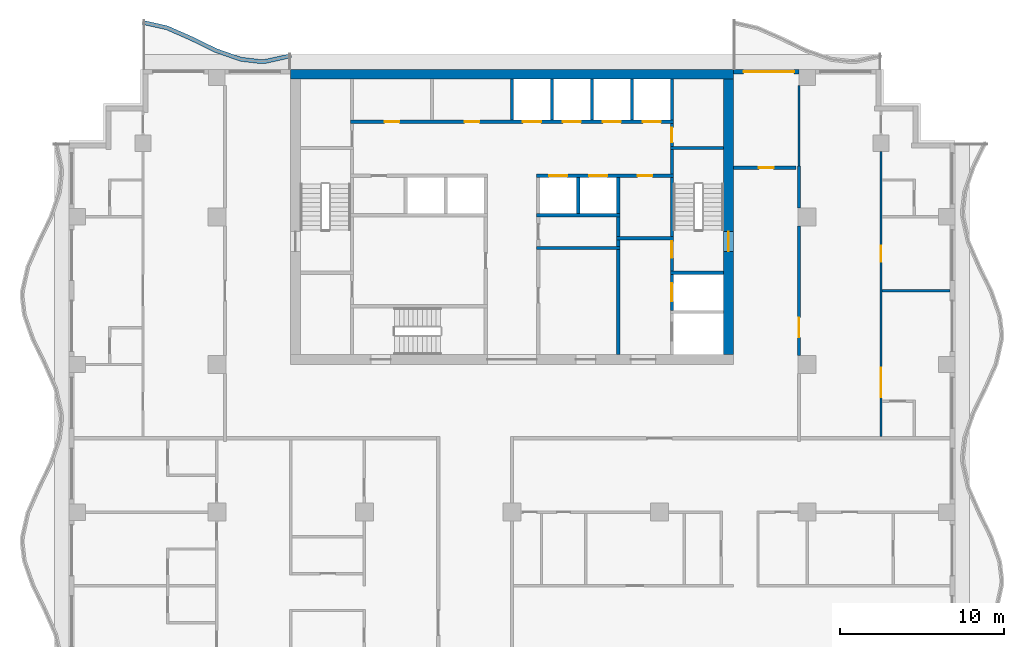
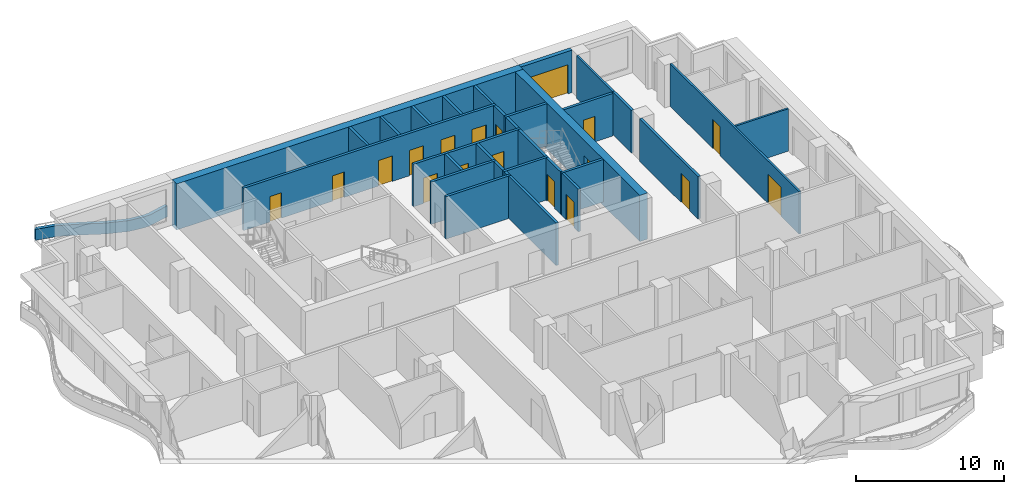
# One storey, part 6 of 11: 32 walls, 18 doors, 18 openings.
"""IFC4 building model written with IfcOpenShell, lengths in metres."""

from ifc_helpers import new_model, si_unit, direction, frame, frame_2d, origin, place, context, subcontext, project, spatial, polyline, rectangle, outline, extrude, material, layer, layer_set, type_object, element, fill, save


model = new_model("IFC4")

# Units and contexts
model_context = context("Model", 3, precision=1e-05, world=origin(), true_north=direction((0.0, 1.0)))
body_context = subcontext(model_context, "Body", "Model", "MODEL_VIEW")
ifc_project = project(units=[si_unit("LENGTHUNIT", "METRE"), si_unit("AREAUNIT", "SQUARE_METRE"), si_unit("VOLUMEUNIT", "CUBIC_METRE"), si_unit("PLANEANGLEUNIT", "RADIAN"), si_unit("MASSUNIT", "GRAM", prefix="KILO")], contexts=[model_context])

# Site, building, storey
site_placement = place(None, origin())
site = spatial("IfcSite", under=ifc_project, at=site_placement, CompositionType="ELEMENT")
building_placement = place(site_placement, origin())
building = spatial("IfcBuilding", under=site, at=building_placement, Name="Orbiselva Terraces", CompositionType="ELEMENT")
storey_placement = place(building_placement, frame((0.0, 0.0, 199.6)))
storey = spatial("IfcBuildingStorey", under=building, at=storey_placement, Name="L50", CompositionType="ELEMENT", Elevation=199.6)

# Wall, opening, door
ifc_material_1 = material(Name="Concrete C80/95", Category="concrete")
ifc_layer_1 = layer(ifc_material_1, 0.6)
ifc_layer_set_1 = layer_set([ifc_layer_1], Name="Concrete C80/95")
wall_type_1 = type_object("IfcWallType", Name="CORE WALL 600", PredefinedType="SHEAR", material=ifc_layer_set_1)
wall_1_placement = place(storey_placement, frame((13.2, 5.1, -0.3), z_axis=(0.0, 0.0, 1.0), x_axis=(0.0, 1.0, 0.0)))
wall_1 = element("IfcWall", 1, at=wall_1_placement, inside=storey, type_object=wall_type_1, Name="Core wall L50 east", PredefinedType="SHEAR", context=body_context, shape_type="SweptSolid", body=[
    extrude(rectangle(XDim=16.8, YDim=0.6, at=frame_2d((8.4, 0.0))), origin(), (0.0, 0.0, 1.0), 3.8),
])
opening_1_placement = place(wall_1_placement, frame((6.3, 0.0, 0.3)))
opening_1 = element("IfcOpeningElement", 2, at=opening_1_placement, cuts=wall_1, Name="Opening DS1200", PredefinedType="OPENING", context=body_context, shape_type="SweptSolid", body=[
    extrude(rectangle(XDim=1.2, YDim=2.2, at=frame_2d((0.6, 1.1))), frame((0.0, 0.31, 0.0), z_axis=(0.0, -1.0, 0.0), x_axis=(1.0, 0.0, 0.0)), (0.0, 0.0, 1.0), 0.62),
])
ifc_material_2 = material(Name="Steel fire door", Category="steel")
door_type_1 = type_object("IfcDoorType", Name="STAIR DOOR 1200", OperationType="NOTDEFINED", PredefinedType="DOOR", material=ifc_material_2)
door_1_placement = place(opening_1_placement, frame((1.2, 0.0, 0.0), z_axis=(0.0, 0.0, 1.0), x_axis=(-1.0, 0.0, 0.0)))
door_1 = element("IfcDoor", 3, at=door_1_placement, inside=storey, type_object=door_type_1, Name="L50 EXIT STAIR S2 door", OperationType="SINGLE_SWING_LEFT", OverallHeight=2.2, OverallWidth=1.2, PredefinedType="DOOR", context=body_context, shape_type="SweptSolid", body=[
    extrude(rectangle(XDim=1.2, YDim=2.2, at=frame_2d((0.6, 1.1))), frame((0.0, 0.025, 0.0), z_axis=(0.0, -1.0, 0.0), x_axis=(1.0, 0.0, 0.0)), (0.0, 0.0, 1.0), 0.05),
])
fill(opening_1, door_1)

# Walls
ifc_layer_2 = layer(ifc_material_1, 0.6)
ifc_layer_set_2 = layer_set([ifc_layer_2], Name="Concrete C80/95")
wall_type_2 = type_object("IfcWallType", Name="CORE WALL 600 EXTERNAL", PredefinedType="SHEAR", material=ifc_layer_set_2)
wall_2_placement = place(storey_placement, frame((13.5, 22.2, -0.3), z_axis=(0.0, 0.0, 1.0), x_axis=(-1.0, 0.0, 0.0)))
element("IfcWall", 4, at=wall_2_placement, inside=storey, type_object=wall_type_2, Name="Core wall L50 north", PredefinedType="SHEAR", context=body_context, shape_type="SweptSolid", body=[
    extrude(rectangle(XDim=27.0, YDim=0.6, at=frame_2d((13.5, 0.0))), origin(), (0.0, 0.0, 1.0), 3.8),
])
ifc_material_3 = material(Name="Masonry blockwork", Category="masonry")
ifc_layer_3 = layer(ifc_material_3, 0.2)
ifc_layer_set_3 = layer_set([ifc_layer_3], Name="Masonry blockwork")
wall_type_3 = type_object("IfcWallType", Name="CORE-WALL-PARTITION-200", PredefinedType="PARTITIONING", material=ifc_layer_set_3)
wall_3_placement = place(storey_placement, frame((6.475, 12.3, 0.0), z_axis=(0.0, 0.0, 1.0), x_axis=(0.0, 1.0, 0.0)))
element("IfcWall", 5, at=wall_3_placement, inside=storey, type_object=wall_type_3, Name="L50 core wall 33", PredefinedType="PARTITIONING", context=body_context, shape_type="SweptSolid", body=[
    extrude(rectangle(XDim=1.2, YDim=0.2, at=frame_2d((0.6, 0.0))), origin(), (0.0, 0.0, 1.0), 3.5),
])

# Wall, opening, door
wall_4_placement = place(storey_placement, frame((9.75, 19.2, 0.0), z_axis=(0.0, 0.0, 1.0), x_axis=(0.0, -1.0, 0.0)))
wall_4 = element("IfcWall", 6, at=wall_4_placement, inside=storey, type_object=wall_type_3, Name="L50 core wall 44", PredefinedType="PARTITIONING", context=body_context, shape_type="SweptSolid", body=[
    extrude(rectangle(XDim=1.4, YDim=0.2, at=frame_2d((0.7, 0.0))), origin(), (0.0, 0.0, 1.0), 3.5),
])
opening_2_placement = place(wall_4_placement, frame((0.25, 0.0, 0.0)))
opening_2 = element("IfcOpeningElement", 7, at=opening_2_placement, cuts=wall_4, Name="Opening DR900", PredefinedType="OPENING", context=body_context, shape_type="SweptSolid", body=[
    extrude(rectangle(XDim=0.9, YDim=2.1, at=frame_2d((0.45, 1.05))), frame((0.0, 0.11, 0.0), z_axis=(0.0, -1.0, 0.0), x_axis=(1.0, 0.0, 0.0)), (0.0, 0.0, 1.0), 0.22),
])
door_type_2 = type_object("IfcDoorType", Name="ROOM DOOR 900", OperationType="NOTDEFINED", PredefinedType="DOOR", material=ifc_material_2)
door_2_placement = place(opening_2_placement, origin())
door_2 = element("IfcDoor", 8, at=door_2_placement, inside=storey, type_object=door_type_2, Name="L50 ELECTRICAL RISER ROOM door", OperationType="SINGLE_SWING_RIGHT", OverallHeight=2.1, OverallWidth=0.9, PredefinedType="DOOR", context=body_context, shape_type="SweptSolid", body=[
    extrude(rectangle(XDim=0.9, YDim=2.1, at=frame_2d((0.45, 1.05))), frame((0.0, 0.025, 0.0), z_axis=(0.0, -1.0, 0.0), x_axis=(1.0, 0.0, 0.0)), (0.0, 0.0, 1.0), 0.05),
])
fill(opening_2, door_2)

# Walls
ifc_material_4 = material(Name="Concrete C40/50", Category="concrete")
ifc_layer_4 = layer(ifc_material_4, 0.2)
ifc_layer_set_4 = layer_set([ifc_layer_4], Name="Concrete C40/50")
wall_type_4 = type_object("IfcWallType", Name="CORE-WALL-SHAFT-200", PredefinedType="PARTITIONING", material=ifc_layer_set_4)
for number, where, z_axis, x_axis, name in (
    (9, (0.0, 19.4, 0.0), (0.0, 0.0, 1.0), (0.0, 1.0, 0.0), "L50 core wall 20"),
    (10, (2.4375, 19.4, 0.0), (0.0, 0.0, 1.0), (0.0, 1.0, 0.0), "L50 core wall 27"),
):
    element("IfcWall", number, at=place(storey_placement, frame(where, z_axis=z_axis, x_axis=x_axis)), inside=storey, type_object=wall_type_4, Name=name, PredefinedType="PARTITIONING", context=body_context, shape_type="SweptSolid", body=[
        extrude(rectangle(XDim=2.5, YDim=0.2, at=frame_2d((1.25, 0.0))), origin(), (0.0, 0.0, 1.0), 3.5),
    ])
wall_5_placement = place(storey_placement, frame((4.0375, 13.7, 0.0), z_axis=(0.0, 0.0, 1.0), x_axis=(0.0, 1.0, 0.0)))
element("IfcWall", 11, at=wall_5_placement, inside=storey, type_object=wall_type_4, Name="L50 core wall 28", PredefinedType="PARTITIONING", context=body_context, shape_type="SweptSolid", body=[
    extrude(rectangle(XDim=2.2, YDim=0.2, at=frame_2d((1.1, 0.0))), origin(), (0.0, 0.0, 1.0), 3.5),
])
wall_6_placement = place(storey_placement, frame((4.875, 19.4, 0.0), z_axis=(0.0, 0.0, 1.0), x_axis=(0.0, 1.0, 0.0)))
element("IfcWall", 12, at=wall_6_placement, inside=storey, type_object=wall_type_4, Name="L50 core wall 29", PredefinedType="PARTITIONING", context=body_context, shape_type="SweptSolid", body=[
    extrude(rectangle(XDim=2.5, YDim=0.2, at=frame_2d((1.25, 0.0))), origin(), (0.0, 0.0, 1.0), 3.5),
])
wall_7_placement = place(storey_placement, frame((6.475, 13.7, 0.0), z_axis=(0.0, 0.0, 1.0), x_axis=(0.0, 1.0, 0.0)))
element("IfcWall", 13, at=wall_7_placement, inside=storey, type_object=wall_type_4, Name="L50 core wall 34", PredefinedType="PARTITIONING", context=body_context, shape_type="SweptSolid", body=[
    extrude(rectangle(XDim=2.2, YDim=0.2, at=frame_2d((1.1, 0.0))), origin(), (0.0, 0.0, 1.0), 3.5),
])
for number, where, z_axis, x_axis, name in (
    (14, (7.3125, 19.4, 0.0), (0.0, 0.0, 1.0), (0.0, 1.0, 0.0), "L50 core wall 35"),
    (15, (9.75, 19.4, 0.0), (0.0, 0.0, 1.0), (0.0, 1.0, 0.0), "L50 core wall 45"),
):
    element("IfcWall", number, at=place(storey_placement, frame(where, z_axis=z_axis, x_axis=x_axis)), inside=storey, type_object=wall_type_4, Name=name, PredefinedType="PARTITIONING", context=body_context, shape_type="SweptSolid", body=[
        extrude(rectangle(XDim=2.5, YDim=0.2, at=frame_2d((1.25, 0.0))), origin(), (0.0, 0.0, 1.0), 3.5),
    ])

# Wall, openings, doors
ifc_material_5 = material(Name="Concrete C60/75", Category="concrete")
ifc_layer_5 = layer(ifc_material_5, 0.2)
ifc_layer_set_5 = layer_set([ifc_layer_5], Name="Concrete C60/75")
wall_type_5 = type_object("IfcWallType", Name="CORE-WALL-SHEAR-200", PredefinedType="SHEAR", material=ifc_layer_set_5)
wall_8_placement = place(storey_placement, frame((-9.85, 19.3, 0.0), z_axis=(0.0, 0.0, 1.0), x_axis=(1.0, 0.0, 0.0)))
wall_8 = element("IfcWall", 16, at=wall_8_placement, inside=storey, type_object=wall_type_5, Name="L50 core wall 12", PredefinedType="SHEAR", context=body_context, shape_type="SweptSolid", body=[
    extrude(rectangle(XDim=19.7, YDim=0.2, at=frame_2d((9.85, 0.0))), origin(), (0.0, 0.0, 1.0), 3.5),
])
opening_3_placement = place(wall_8_placement, frame((10.51875, 0.0, 0.0)))
opening_3 = element("IfcOpeningElement", 17, at=opening_3_placement, cuts=wall_8, Name="Opening LD-HR1", PredefinedType="OPENING", context=body_context, shape_type="SweptSolid", body=[
    extrude(rectangle(XDim=1.1, YDim=2.1, at=frame_2d((0.55, 1.05))), frame((0.0, 0.11, 0.0), z_axis=(0.0, -1.0, 0.0), x_axis=(1.0, 0.0, 0.0)), (0.0, 0.0, 1.0), 0.22),
])
opening_4_placement = place(wall_8_placement, frame((12.95625, 0.0, 0.0)))
opening_4 = element("IfcOpeningElement", 18, at=opening_4_placement, cuts=wall_8, Name="Opening LD-HR2", PredefinedType="OPENING", context=body_context, shape_type="SweptSolid", body=[
    extrude(rectangle(XDim=1.1, YDim=2.1, at=frame_2d((0.55, 1.05))), frame((0.0, 0.11, 0.0), z_axis=(0.0, -1.0, 0.0), x_axis=(1.0, 0.0, 0.0)), (0.0, 0.0, 1.0), 0.22),
])
opening_5_placement = place(wall_8_placement, frame((15.39375, 0.0, 0.0)))
opening_5 = element("IfcOpeningElement", 19, at=opening_5_placement, cuts=wall_8, Name="Opening LD-HR3", PredefinedType="OPENING", context=body_context, shape_type="SweptSolid", body=[
    extrude(rectangle(XDim=1.1, YDim=2.1, at=frame_2d((0.55, 1.05))), frame((0.0, 0.11, 0.0), z_axis=(0.0, -1.0, 0.0), x_axis=(1.0, 0.0, 0.0)), (0.0, 0.0, 1.0), 0.22),
])
opening_6_placement = place(wall_8_placement, frame((17.83125, 0.0, 0.0)))
opening_6 = element("IfcOpeningElement", 20, at=opening_6_placement, cuts=wall_8, Name="Opening LD-HR4", PredefinedType="OPENING", context=body_context, shape_type="SweptSolid", body=[
    extrude(rectangle(XDim=1.1, YDim=2.1, at=frame_2d((0.55, 1.05))), frame((0.0, 0.11, 0.0), z_axis=(0.0, -1.0, 0.0), x_axis=(1.0, 0.0, 0.0)), (0.0, 0.0, 1.0), 0.22),
])
opening_7_placement = place(wall_8_placement, frame((2.0875, 0.0, 0.0)))
opening_7 = element("IfcOpeningElement", 21, at=opening_7_placement, cuts=wall_8, Name="Opening DR900", PredefinedType="OPENING", context=body_context, shape_type="SweptSolid", body=[
    extrude(rectangle(XDim=0.9, YDim=2.1, at=frame_2d((0.45, 1.05))), frame((0.0, 0.11, 0.0), z_axis=(0.0, -1.0, 0.0), x_axis=(1.0, 0.0, 0.0)), (0.0, 0.0, 1.0), 0.22),
])
opening_8_placement = place(wall_8_placement, frame((6.9625, 0.0, 0.0)))
opening_8 = element("IfcOpeningElement", 22, at=opening_8_placement, cuts=wall_8, Name="Opening DR900", PredefinedType="OPENING", context=body_context, shape_type="SweptSolid", body=[
    extrude(rectangle(XDim=0.9, YDim=2.1, at=frame_2d((0.45, 1.05))), frame((0.0, 0.11, 0.0), z_axis=(0.0, -1.0, 0.0), x_axis=(1.0, 0.0, 0.0)), (0.0, 0.0, 1.0), 0.22),
])
ifc_material_6 = material(Name="Stainless steel landing door", Category="steel")
door_type_3 = type_object("IfcDoorType", Name="LANDING DOOR 1100", OperationType="SLIDING_TO_LEFT", PredefinedType="DOOR", material=ifc_material_6)
door_3_placement = place(opening_3_placement, origin())
door_3 = element("IfcDoor", 23, at=door_3_placement, inside=storey, type_object=door_type_3, Name="L50 landing door HR1", OperationType="SLIDING_TO_RIGHT", OverallHeight=2.1, OverallWidth=1.1, PredefinedType="DOOR", context=body_context, shape_type="SweptSolid", body=[
    extrude(rectangle(XDim=1.1, YDim=2.1, at=frame_2d((0.55, 1.05))), frame((0.0, 0.025, 0.0), z_axis=(0.0, -1.0, 0.0), x_axis=(1.0, 0.0, 0.0)), (0.0, 0.0, 1.0), 0.05),
])
fill(opening_3, door_3)
door_4_placement = place(opening_4_placement, origin())
door_4 = element("IfcDoor", 24, at=door_4_placement, inside=storey, type_object=door_type_3, Name="L50 landing door HR2", OperationType="SLIDING_TO_RIGHT", OverallHeight=2.1, OverallWidth=1.1, PredefinedType="DOOR", context=body_context, shape_type="SweptSolid", body=[
    extrude(rectangle(XDim=1.1, YDim=2.1, at=frame_2d((0.55, 1.05))), frame((0.0, 0.025, 0.0), z_axis=(0.0, -1.0, 0.0), x_axis=(1.0, 0.0, 0.0)), (0.0, 0.0, 1.0), 0.05),
])
fill(opening_4, door_4)
door_5_placement = place(opening_5_placement, origin())
door_5 = element("IfcDoor", 25, at=door_5_placement, inside=storey, type_object=door_type_3, Name="L50 landing door HR3", OperationType="SLIDING_TO_RIGHT", OverallHeight=2.1, OverallWidth=1.1, PredefinedType="DOOR", context=body_context, shape_type="SweptSolid", body=[
    extrude(rectangle(XDim=1.1, YDim=2.1, at=frame_2d((0.55, 1.05))), frame((0.0, 0.025, 0.0), z_axis=(0.0, -1.0, 0.0), x_axis=(1.0, 0.0, 0.0)), (0.0, 0.0, 1.0), 0.05),
])
fill(opening_5, door_5)
door_6_placement = place(opening_6_placement, origin())
door_6 = element("IfcDoor", 26, at=door_6_placement, inside=storey, type_object=door_type_3, Name="L50 landing door HR4", OperationType="SLIDING_TO_RIGHT", OverallHeight=2.1, OverallWidth=1.1, PredefinedType="DOOR", context=body_context, shape_type="SweptSolid", body=[
    extrude(rectangle(XDim=1.1, YDim=2.1, at=frame_2d((0.55, 1.05))), frame((0.0, 0.025, 0.0), z_axis=(0.0, -1.0, 0.0), x_axis=(1.0, 0.0, 0.0)), (0.0, 0.0, 1.0), 0.05),
])
fill(opening_6, door_6)
door_7_placement = place(opening_7_placement, origin())
door_7 = element("IfcDoor", 27, at=door_7_placement, inside=storey, type_object=door_type_2, Name="L50 PANTRY door", OperationType="SINGLE_SWING_LEFT", OverallHeight=2.1, OverallWidth=0.9, PredefinedType="DOOR", context=body_context, shape_type="SweptSolid", body=[
    extrude(rectangle(XDim=0.9, YDim=2.1, at=frame_2d((0.45, 1.05))), frame((0.0, 0.025, 0.0), z_axis=(0.0, -1.0, 0.0), x_axis=(1.0, 0.0, 0.0)), (0.0, 0.0, 1.0), 0.05),
])
fill(opening_7, door_7)
door_8_placement = place(opening_8_placement, origin())
door_8 = element("IfcDoor", 28, at=door_8_placement, inside=storey, type_object=door_type_2, Name="L50 STAFF LOUNGE door", OperationType="SINGLE_SWING_LEFT", OverallHeight=2.1, OverallWidth=0.9, PredefinedType="DOOR", context=body_context, shape_type="SweptSolid", body=[
    extrude(rectangle(XDim=0.9, YDim=2.1, at=frame_2d((0.45, 1.05))), frame((0.0, 0.025, 0.0), z_axis=(0.0, -1.0, 0.0), x_axis=(1.0, 0.0, 0.0)), (0.0, 0.0, 1.0), 0.05),
])
fill(opening_8, door_8)

# Walls
for number, where, z_axis, x_axis, name in (
    (29, (1.5, 11.6, 0.0), (0.0, 0.0, 1.0), (1.0, 0.0, 0.0), "L50 core wall 22"),
    (30, (1.5, 13.6, 0.0), (0.0, 0.0, 1.0), (1.0, 0.0, 0.0), "L50 core wall 24"),
):
    element("IfcWall", number, at=place(storey_placement, frame(where, z_axis=z_axis, x_axis=x_axis)), inside=storey, type_object=wall_type_5, Name=name, PredefinedType="SHEAR", context=body_context, shape_type="SweptSolid", body=[
        extrude(rectangle(XDim=5.075, YDim=0.2, at=frame_2d((2.5375, 0.0))), origin(), (0.0, 0.0, 1.0), 3.5),
    ])

# Wall, openings, doors
wall_9_placement = place(storey_placement, frame((9.85, 16.0, 0.0), z_axis=(0.0, 0.0, 1.0), x_axis=(-1.0, 0.0, 0.0)))
wall_9 = element("IfcWall", 31, at=wall_9_placement, inside=storey, type_object=wall_type_5, Name="L50 core wall 26", PredefinedType="SHEAR", context=body_context, shape_type="SweptSolid", body=[
    extrude(rectangle(XDim=8.35, YDim=0.2, at=frame_2d((4.175, 0.0))), origin(), (0.0, 0.0, 1.0), 3.5),
])
opening_9_placement = place(wall_9_placement, frame((6.48125, 0.0, 0.0)))
opening_9 = element("IfcOpeningElement", 32, at=opening_9_placement, cuts=wall_9, Name="Opening LD-HR5", PredefinedType="OPENING", context=body_context, shape_type="SweptSolid", body=[
    extrude(rectangle(XDim=1.1, YDim=2.1, at=frame_2d((0.55, 1.05))), frame((0.0, 0.11, 0.0), z_axis=(0.0, -1.0, 0.0), x_axis=(1.0, 0.0, 0.0)), (0.0, 0.0, 1.0), 0.22),
])
opening_10_placement = place(wall_9_placement, frame((4.04375, 0.0, 0.0)))
opening_10 = element("IfcOpeningElement", 33, at=opening_10_placement, cuts=wall_9, Name="Opening LD-HR6", PredefinedType="OPENING", context=body_context, shape_type="SweptSolid", body=[
    extrude(rectangle(XDim=1.1, YDim=2.1, at=frame_2d((0.55, 1.05))), frame((0.0, 0.11, 0.0), z_axis=(0.0, -1.0, 0.0), x_axis=(1.0, 0.0, 0.0)), (0.0, 0.0, 1.0), 0.22),
])
opening_11_placement = place(wall_9_placement, frame((1.2875, 0.0, 0.0)))
opening_11 = element("IfcOpeningElement", 34, at=opening_11_placement, cuts=wall_9, Name="Opening DR900", PredefinedType="OPENING", context=body_context, shape_type="SweptSolid", body=[
    extrude(rectangle(XDim=0.9, YDim=2.1, at=frame_2d((0.45, 1.05))), frame((0.0, 0.11, 0.0), z_axis=(0.0, -1.0, 0.0), x_axis=(1.0, 0.0, 0.0)), (0.0, 0.0, 1.0), 0.22),
])
door_9_placement = place(opening_9_placement, origin())
door_9 = element("IfcDoor", 35, at=door_9_placement, inside=storey, type_object=door_type_3, Name="L50 landing door HR5", OperationType="SLIDING_TO_RIGHT", OverallHeight=2.1, OverallWidth=1.1, PredefinedType="DOOR", context=body_context, shape_type="SweptSolid", body=[
    extrude(rectangle(XDim=1.1, YDim=2.1, at=frame_2d((0.55, 1.05))), frame((0.0, 0.025, 0.0), z_axis=(0.0, -1.0, 0.0), x_axis=(1.0, 0.0, 0.0)), (0.0, 0.0, 1.0), 0.05),
])
fill(opening_9, door_9)
door_10_placement = place(opening_10_placement, origin())
door_10 = element("IfcDoor", 36, at=door_10_placement, inside=storey, type_object=door_type_3, Name="L50 landing door HR6", OperationType="SLIDING_TO_RIGHT", OverallHeight=2.1, OverallWidth=1.1, PredefinedType="DOOR", context=body_context, shape_type="SweptSolid", body=[
    extrude(rectangle(XDim=1.1, YDim=2.1, at=frame_2d((0.55, 1.05))), frame((0.0, 0.025, 0.0), z_axis=(0.0, -1.0, 0.0), x_axis=(1.0, 0.0, 0.0)), (0.0, 0.0, 1.0), 0.05),
])
fill(opening_10, door_10)
door_11_placement = place(opening_11_placement, origin())
door_11 = element("IfcDoor", 37, at=door_11_placement, inside=storey, type_object=door_type_2, Name="L50 PIPE RISER ROOM door", OperationType="SINGLE_SWING_LEFT", OverallHeight=2.1, OverallWidth=0.9, PredefinedType="DOOR", context=body_context, shape_type="SweptSolid", body=[
    extrude(rectangle(XDim=0.9, YDim=2.1, at=frame_2d((0.45, 1.05))), frame((0.0, 0.025, 0.0), z_axis=(0.0, -1.0, 0.0), x_axis=(1.0, 0.0, 0.0)), (0.0, 0.0, 1.0), 0.05),
])
fill(opening_11, door_11)

# Walls
wall_10_placement = place(storey_placement, frame((6.475, 5.1, 0.0), z_axis=(0.0, 0.0, 1.0), x_axis=(0.0, 1.0, 0.0)))
element("IfcWall", 38, at=wall_10_placement, inside=storey, type_object=wall_type_5, Name="L50 core wall 30", PredefinedType="SHEAR", context=body_context, shape_type="SweptSolid", body=[
    extrude(rectangle(XDim=6.4, YDim=0.2, at=frame_2d((3.2, 0.0))), origin(), (0.0, 0.0, 1.0), 3.5),
])
wall_11_placement = place(storey_placement, frame((6.475, 11.7, 0.0), z_axis=(0.0, 0.0, 1.0), x_axis=(0.0, 1.0, 0.0)))
element("IfcWall", 39, at=wall_11_placement, inside=storey, type_object=wall_type_5, Name="L50 core wall 31", PredefinedType="SHEAR", context=body_context, shape_type="SweptSolid", body=[
    extrude(rectangle(XDim=0.4, YDim=0.2, at=frame_2d((0.2, 0.0))), origin(), (0.0, 0.0, 1.0), 3.5),
])
wall_12_placement = place(storey_placement, frame((6.375, 12.2, 0.0), z_axis=(0.0, 0.0, 1.0), x_axis=(1.0, 0.0, 0.0)))
element("IfcWall", 40, at=wall_12_placement, inside=storey, type_object=wall_type_5, Name="L50 core wall 32", PredefinedType="SHEAR", context=body_context, shape_type="SweptSolid", body=[
    extrude(rectangle(XDim=3.475, YDim=0.2, at=frame_2d((1.7375, 0.0))), origin(), (0.0, 0.0, 1.0), 3.5),
])

# Wall, opening, door
wall_13_placement = place(storey_placement, frame((9.75, 7.8, 0.0), z_axis=(0.0, 0.0, 1.0), x_axis=(0.0, 1.0, 0.0)))
wall_13 = element("IfcWall", 41, at=wall_13_placement, inside=storey, type_object=wall_type_5, Name="L50 core wall 38", PredefinedType="SHEAR", context=body_context, shape_type="SweptSolid", body=[
    extrude(rectangle(XDim=2.2, YDim=0.2, at=frame_2d((1.1, 0.0))), origin(), (0.0, 0.0, 1.0), 3.5),
])
opening_12_placement = place(wall_13_placement, frame((0.55, 0.0, 0.0)))
opening_12 = element("IfcOpeningElement", 42, at=opening_12_placement, cuts=wall_13, Name="Opening LD-FF2", PredefinedType="OPENING", context=body_context, shape_type="SweptSolid", body=[
    extrude(rectangle(XDim=1.1, YDim=2.1, at=frame_2d((0.55, 1.05))), frame((0.0, 0.11, 0.0), z_axis=(0.0, -1.0, 0.0), x_axis=(1.0, 0.0, 0.0)), (0.0, 0.0, 1.0), 0.22),
])
door_12_placement = place(opening_12_placement, origin())
door_12 = element("IfcDoor", 43, at=door_12_placement, inside=storey, type_object=door_type_3, Name="L50 landing door FF2", OperationType="SLIDING_TO_RIGHT", OverallHeight=2.1, OverallWidth=1.1, PredefinedType="DOOR", context=body_context, shape_type="SweptSolid", body=[
    extrude(rectangle(XDim=1.1, YDim=2.1, at=frame_2d((0.55, 1.05))), frame((0.0, 0.025, 0.0), z_axis=(0.0, -1.0, 0.0), x_axis=(1.0, 0.0, 0.0)), (0.0, 0.0, 1.0), 0.05),
])
fill(opening_12, door_12)

# Wall
wall_14_placement = place(storey_placement, frame((9.65, 10.1, 0.0), z_axis=(0.0, 0.0, 1.0), x_axis=(1.0, 0.0, 0.0)))
element("IfcWall", 44, at=wall_14_placement, inside=storey, type_object=wall_type_5, Name="L50 core wall 39", PredefinedType="SHEAR", context=body_context, shape_type="SweptSolid", body=[
    extrude(rectangle(XDim=3.25, YDim=0.2, at=frame_2d((1.625, 0.0))), origin(), (0.0, 0.0, 1.0), 3.5),
])

# Wall, opening, door
wall_15_placement = place(storey_placement, frame((9.75, 12.1, 0.0), z_axis=(0.0, 0.0, 1.0), x_axis=(0.0, -1.0, 0.0)))
wall_15 = element("IfcWall", 45, at=wall_15_placement, inside=storey, type_object=wall_type_5, Name="L50 core wall 40", PredefinedType="SHEAR", context=body_context, shape_type="SweptSolid", body=[
    extrude(rectangle(XDim=1.9, YDim=0.2, at=frame_2d((0.95, 0.0))), origin(), (0.0, 0.0, 1.0), 3.5),
])
opening_13_placement = place(wall_15_placement, frame((0.1, 0.0, 0.0)))
opening_13 = element("IfcOpeningElement", 46, at=opening_13_placement, cuts=wall_15, Name="Opening DS1000", PredefinedType="OPENING", context=body_context, shape_type="SweptSolid", body=[
    extrude(rectangle(XDim=1.0, YDim=2.2, at=frame_2d((0.5, 1.1))), frame((0.0, 0.11, 0.0), z_axis=(0.0, -1.0, 0.0), x_axis=(1.0, 0.0, 0.0)), (0.0, 0.0, 1.0), 0.22),
])
door_type_4 = type_object("IfcDoorType", Name="STAIR DOOR 1000", OperationType="NOTDEFINED", PredefinedType="DOOR", material=ifc_material_2)
door_13_placement = place(opening_13_placement, origin())
door_13 = element("IfcDoor", 47, at=door_13_placement, inside=storey, type_object=door_type_4, Name="L50 FIRE-FIGHTING LOBBY TO EXIT STAIR S2 door", OperationType="SINGLE_SWING_LEFT", OverallHeight=2.2, OverallWidth=1.0, PredefinedType="DOOR", context=body_context, shape_type="SweptSolid", body=[
    extrude(rectangle(XDim=1.0, YDim=2.2, at=frame_2d((0.5, 1.1))), frame((0.0, 0.025, 0.0), z_axis=(0.0, -1.0, 0.0), x_axis=(1.0, 0.0, 0.0)), (0.0, 0.0, 1.0), 0.05),
])
fill(opening_13, door_13)

# Walls
wall_16_placement = place(storey_placement, frame((9.75, 12.3, 0.0), z_axis=(0.0, 0.0, 1.0), x_axis=(0.0, 1.0, 0.0)))
element("IfcWall", 48, at=wall_16_placement, inside=storey, type_object=wall_type_5, Name="L50 core wall 41", PredefinedType="SHEAR", context=body_context, shape_type="SweptSolid", body=[
    extrude(rectangle(XDim=3.6, YDim=0.2, at=frame_2d((1.8, 0.0))), origin(), (0.0, 0.0, 1.0), 3.5),
])
wall_17_placement = place(storey_placement, frame((9.75, 16.1, 0.0), z_axis=(0.0, 0.0, 1.0), x_axis=(0.0, 1.0, 0.0)))
element("IfcWall", 49, at=wall_17_placement, inside=storey, type_object=wall_type_5, Name="L50 core wall 42", PredefinedType="SHEAR", context=body_context, shape_type="SweptSolid", body=[
    extrude(rectangle(XDim=1.5, YDim=0.2, at=frame_2d((0.75, 0.0))), origin(), (0.0, 0.0, 1.0), 3.5),
])
wall_18_placement = place(storey_placement, frame((9.65, 17.7, 0.0), z_axis=(0.0, 0.0, 1.0), x_axis=(1.0, 0.0, 0.0)))
element("IfcWall", 50, at=wall_18_placement, inside=storey, type_object=wall_type_5, Name="L50 core wall 43", PredefinedType="SHEAR", context=body_context, shape_type="SweptSolid", body=[
    extrude(rectangle(XDim=3.25, YDim=0.2, at=frame_2d((1.625, 0.0))), origin(), (0.0, 0.0, 1.0), 3.5),
])
ifc_layer_6 = layer(ifc_material_4, 0.25)
ifc_layer_set_6 = layer_set([ifc_layer_6], Name="Concrete C40/50")
wall_type_6 = type_object("IfcWallType", Name="ENV-PLANTER-250x900", PredefinedType="USERDEFINED", material=ifc_layer_set_6)
wall_19_placement = place(storey_placement, origin())
element("IfcWall", 51, at=wall_19_placement, inside=storey, type_object=wall_type_6, Name="Balcony planter L50 NW", ObjectType="PLANTER", PredefinedType="USERDEFINED", context=body_context, shape_type="SweptSolid", body=[
    extrude(outline(polyline([(-13.5, 23.451472), (-15.0, 23.114774), (-15.375, 23.1), (-16.5, 23.230792), (-18.0, 23.755211), (-19.5, 24.487721), (-21.0, 25.148528), (-22.5, 25.485226), (-22.554754, 25.241296), (-21.078508, 24.90993), (-19.605286, 24.260919), (-18.09644, 23.524089), (-16.556371, 22.985662), (-15.384572, 22.849429), (-14.967435, 22.865863), (-13.445246, 23.207542), (-13.5, 23.451472)])), origin(), (0.0, 0.0, 1.0), 0.9),
])

# Wall, opening, door
ifc_material_7 = material(Name="Terracotta cladding on masonry backing", Category="masonry")
ifc_layer_7 = layer(ifc_material_7, 0.3)
ifc_layer_set_7 = layer_set([ifc_layer_7], Name="Terracotta cladding on masonry backing")
wall_type_7 = type_object("IfcWallType", Name="ENV-WALL-TERRACOTTA-300", PredefinedType="SOLIDWALL", material=ifc_layer_set_7)
wall_20_placement = place(storey_placement, frame((13.5, 22.35, 0.0), z_axis=(0.0, 0.0, 1.0), x_axis=(1.0, 0.0, 0.0)))
wall_20 = element("IfcWall", 52, at=wall_20_placement, inside=storey, type_object=wall_type_7, Name="Facade wall L50 NE", PredefinedType="SOLIDWALL", context=body_context, shape_type="SweptSolid", body=[
    extrude(rectangle(XDim=4.0, YDim=0.3, at=frame_2d((2.0, 0.0))), origin(), (0.0, 0.0, 1.0), 3.5),
])
opening_14_placement = place(wall_20_placement, frame((0.625, 0.0, 0.0)))
opening_14 = element("IfcOpeningElement", 53, at=opening_14_placement, cuts=wall_20, Name="Opening Z4-B-E17", PredefinedType="OPENING", context=body_context, shape_type="SweptSolid", body=[
    extrude(rectangle(XDim=3.075, YDim=2.4, at=frame_2d((1.5375, 1.2))), frame((0.0, 0.16, 0.0), z_axis=(0.0, -1.0, 0.0), x_axis=(1.0, 0.0, 0.0)), (0.0, 0.0, 1.0), 0.32),
])
ifc_material_8 = material(Name="Clear low-e glazing in aluminium frame", Category="aluminium")
door_type_5 = type_object("IfcDoorType", Name="BALCONY DOOR 3075 X 2400", OperationType="DOUBLE_DOOR_SLIDING", PredefinedType="DOOR", material=ifc_material_8)
door_14_placement = place(opening_14_placement, origin())
door_14 = element("IfcDoor", 54, at=door_14_placement, inside=storey, type_object=door_type_5, Name="Z4-B-E17", OperationType="SINGLE_SWING_LEFT", OverallHeight=2.4, OverallWidth=3.075, PredefinedType="DOOR", context=body_context, shape_type="SweptSolid", body=[
    extrude(rectangle(XDim=3.075, YDim=2.4, at=frame_2d((1.5375, 1.2))), frame((0.0, 0.025, 0.0), z_axis=(0.0, -1.0, 0.0), x_axis=(1.0, 0.0, 0.0)), (0.0, 0.0, 1.0), 0.05),
])
fill(opening_14, door_14)

ifc_material_9 = material(Name="Plasterboard on steel stud partition", Category="steel")
ifc_layer_8 = layer(ifc_material_9, 0.2)
ifc_layer_set_8 = layer_set([ifc_layer_8], Name="Plasterboard on steel stud partition")
wall_type_8 = type_object("IfcWallType", Name="UNIT-ENTRANCE-WALL-200", PredefinedType="PARTITIONING", material=ifc_layer_set_8)
wall_21_placement = place(storey_placement, frame((13.5, 16.5, 0.0), z_axis=(0.0, 0.0, 1.0), x_axis=(1.0, 0.0, 0.0)))
wall_21 = element("IfcWall", 55, at=wall_21_placement, inside=storey, type_object=wall_type_8, Name="PARTITION L50-041", PredefinedType="PARTITIONING", context=body_context, shape_type="SweptSolid", body=[
    extrude(rectangle(XDim=3.825, YDim=0.2, at=frame_2d((1.9125, 0.0))), origin(), (0.0, 0.0, 1.0), 3.5),
])
opening_15_placement = place(wall_21_placement, frame((1.55, 0.0, 0.0)))
opening_15 = element("IfcOpeningElement", 56, at=opening_15_placement, cuts=wall_21, Name="Opening Z4-B-01", PredefinedType="OPENING", context=body_context, shape_type="SweptSolid", body=[
    extrude(rectangle(XDim=0.9, YDim=2.1, at=frame_2d((0.45, 1.05))), frame((0.0, 0.11, 0.0), z_axis=(0.0, -1.0, 0.0), x_axis=(1.0, 0.0, 0.0)), (0.0, 0.0, 1.0), 0.22),
])
ifc_material_10 = material(Name="Painted timber door leaf", Category="wood")
door_type_6 = type_object("IfcDoorType", Name="SERVICE DOOR 900", OperationType="NOTDEFINED", PredefinedType="DOOR", material=ifc_material_10)
door_15_placement = place(opening_15_placement, origin())
door_15 = element("IfcDoor", 57, at=door_15_placement, inside=storey, type_object=door_type_6, Name="Z4-B-01", OperationType="SINGLE_SWING_RIGHT", OverallHeight=2.1, OverallWidth=0.9, PredefinedType="DOOR", context=body_context, shape_type="SweptSolid", body=[
    extrude(rectangle(XDim=0.9, YDim=2.1, at=frame_2d((0.45, 1.05))), frame((0.0, 0.025, 0.0), z_axis=(0.0, -1.0, 0.0), x_axis=(1.0, 0.0, 0.0)), (0.0, 0.0, 1.0), 0.05),
])
fill(opening_15, door_15)

wall_22_placement = place(storey_placement, frame((17.5, 12.95, 0.0), z_axis=(0.0, 0.0, 1.0), x_axis=(0.0, -1.0, 0.0)))
wall_22 = element("IfcWall", 58, at=wall_22_placement, inside=storey, type_object=wall_type_8, Name="PARTITION L50-076", PredefinedType="PARTITIONING", context=body_context, shape_type="SweptSolid", body=[
    extrude(rectangle(XDim=7.9, YDim=0.2, at=frame_2d((3.95, 0.0))), origin(), (0.0, 0.0, 1.0), 3.5),
])
opening_16_placement = place(wall_22_placement, frame((5.6, 0.0, 0.0)))
opening_16 = element("IfcOpeningElement", 59, at=opening_16_placement, cuts=wall_22, Name="Opening Z4-B-08", PredefinedType="OPENING", context=body_context, shape_type="SweptSolid", body=[
    extrude(rectangle(XDim=1.2, YDim=2.4, at=frame_2d((0.6, 1.2))), frame((0.0, 0.11, 0.0), z_axis=(0.0, -1.0, 0.0), x_axis=(1.0, 0.0, 0.0)), (0.0, 0.0, 1.0), 0.22),
])
door_type_7 = type_object("IfcDoorType", Name="ENTRANCE DOOR 1200", OperationType="NOTDEFINED", PredefinedType="DOOR", material=ifc_material_10)
door_16_placement = place(opening_16_placement, origin())
door_16 = element("IfcDoor", 60, at=door_16_placement, inside=storey, type_object=door_type_7, Name="Z4-B-08", OperationType="SINGLE_SWING_RIGHT", OverallHeight=2.4, OverallWidth=1.2, PredefinedType="DOOR", context=body_context, shape_type="SweptSolid", body=[
    extrude(rectangle(XDim=1.2, YDim=2.4, at=frame_2d((0.6, 1.2))), frame((0.0, 0.025, 0.0), z_axis=(0.0, -1.0, 0.0), x_axis=(1.0, 0.0, 0.0)), (0.0, 0.0, 1.0), 0.05),
])
fill(opening_16, door_16)

# Walls
wall_23_placement = place(storey_placement, frame((17.5, 14.05, 0.0), z_axis=(0.0, 0.0, 1.0), x_axis=(0.0, 1.0, 0.0)))
element("IfcWall", 61, at=wall_23_placement, inside=storey, type_object=wall_type_8, Name="PARTITION L50-077", PredefinedType="PARTITIONING", context=body_context, shape_type="SweptSolid", body=[
    extrude(rectangle(XDim=2.55, YDim=0.2, at=frame_2d((1.275, 0.0))), origin(), (0.0, 0.0, 1.0), 3.5),
])
ifc_layer_9 = layer(ifc_material_9, 0.15)
ifc_layer_set_9 = layer_set([ifc_layer_9], Name="Plasterboard on steel stud partition")
wall_type_9 = type_object("IfcWallType", Name="UNIT-PARTITION-150", PredefinedType="PARTITIONING", material=ifc_layer_set_9)
wall_24_placement = place(storey_placement, frame((22.575, 9.0, 0.0), z_axis=(0.0, 0.0, 1.0), x_axis=(1.0, 0.0, 0.0)))
element("IfcWall", 62, at=wall_24_placement, inside=storey, type_object=wall_type_9, Name="PARTITION L50-036", PredefinedType="PARTITIONING", context=body_context, shape_type="SweptSolid", body=[
    extrude(rectangle(XDim=4.125, YDim=0.15, at=frame_2d((2.0625, 0.0))), origin(), (0.0, 0.0, 1.0), 3.5),
])
wall_25_placement = place(storey_placement, frame((17.5, 16.4, 0.0), z_axis=(0.0, 0.0, 1.0), x_axis=(0.0, 1.0, 0.0)))
element("IfcWall", 63, at=wall_25_placement, inside=storey, type_object=wall_type_9, Name="PARTITION L50-078", PredefinedType="PARTITIONING", context=body_context, shape_type="SweptSolid", body=[
    extrude(rectangle(XDim=5.1, YDim=0.15, at=frame_2d((2.55, 0.0))), origin(), (0.0, 0.0, 1.0), 3.5),
])

# Wall, openings, doors
wall_26_placement = place(storey_placement, frame((22.5, 17.5, 0.0), z_axis=(0.0, 0.0, 1.0), x_axis=(0.0, -1.0, 0.0)))
wall_26 = element("IfcWall", 64, at=wall_26_placement, inside=storey, type_object=wall_type_9, Name="PARTITION L50-084", PredefinedType="PARTITIONING", context=body_context, shape_type="SweptSolid", body=[
    extrude(rectangle(XDim=17.4, YDim=0.15, at=frame_2d((8.7, 0.0))), origin(), (0.0, 0.0, 1.0), 3.5),
])
opening_17_placement = place(wall_26_placement, frame((13.2, 0.0, 0.0)))
opening_17 = element("IfcOpeningElement", 65, at=opening_17_placement, cuts=wall_26, Name="Opening Z4-B-09", PredefinedType="OPENING", context=body_context, shape_type="SweptSolid", body=[
    extrude(rectangle(XDim=1.8, YDim=2.4, at=frame_2d((0.9, 1.2))), frame((0.0, 0.085, 0.0), z_axis=(0.0, -1.0, 0.0), x_axis=(1.0, 0.0, 0.0)), (0.0, 0.0, 1.0), 0.17),
])
opening_18_placement = place(wall_26_placement, frame((5.75, 0.0, 0.0)))
opening_18 = element("IfcOpeningElement", 66, at=opening_18_placement, cuts=wall_26, Name="Opening Z4-B-11", PredefinedType="OPENING", context=body_context, shape_type="SweptSolid", body=[
    extrude(rectangle(XDim=1.0, YDim=2.4, at=frame_2d((0.5, 1.2))), frame((0.0, 0.085, 0.0), z_axis=(0.0, -1.0, 0.0), x_axis=(1.0, 0.0, 0.0)), (0.0, 0.0, 1.0), 0.17),
])
door_type_8 = type_object("IfcDoorType", Name="DOUBLE DOOR 1800", OperationType="NOTDEFINED", PredefinedType="DOOR", material=ifc_material_10)
door_17_placement = place(opening_17_placement, origin())
door_17 = element("IfcDoor", 67, at=door_17_placement, inside=storey, type_object=door_type_8, Name="Z4-B-09", OperationType="DOUBLE_DOOR_SINGLE_SWING", OverallHeight=2.4, OverallWidth=1.8, PredefinedType="DOOR", context=body_context, shape_type="SweptSolid", body=[
    extrude(rectangle(XDim=1.8, YDim=2.4, at=frame_2d((0.9, 1.2))), frame((0.0, 0.025, 0.0), z_axis=(0.0, -1.0, 0.0), x_axis=(1.0, 0.0, 0.0)), (0.0, 0.0, 1.0), 0.05),
])
fill(opening_17, door_17)
door_type_9 = type_object("IfcDoorType", Name="ROOM DOOR 1000", OperationType="NOTDEFINED", PredefinedType="DOOR", material=ifc_material_10)
door_18_placement = place(opening_18_placement, origin())
door_18 = element("IfcDoor", 68, at=door_18_placement, inside=storey, type_object=door_type_9, Name="Z4-B-11", OperationType="SINGLE_SWING_LEFT", OverallHeight=2.4, OverallWidth=1.0, PredefinedType="DOOR", context=body_context, shape_type="SweptSolid", body=[
    extrude(rectangle(XDim=1.0, YDim=2.4, at=frame_2d((0.5, 1.2))), frame((0.0, 0.025, 0.0), z_axis=(0.0, -1.0, 0.0), x_axis=(1.0, 0.0, 0.0)), (0.0, 0.0, 1.0), 0.05),
])
fill(opening_18, door_18)

save(model, "model.ifc")
